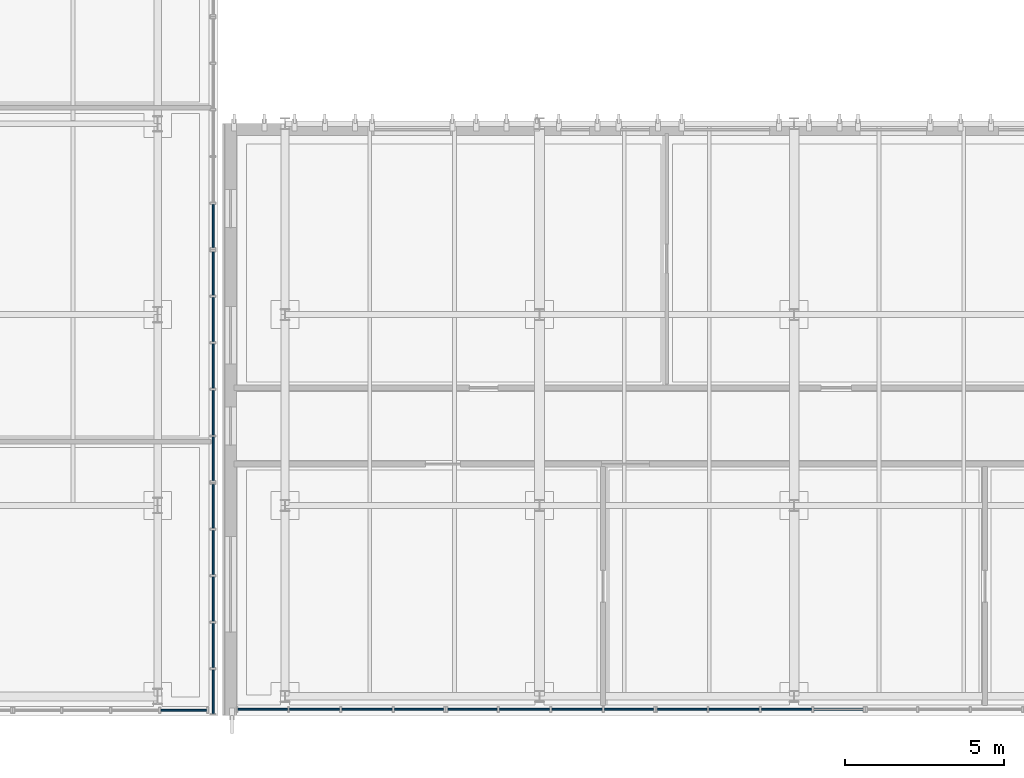
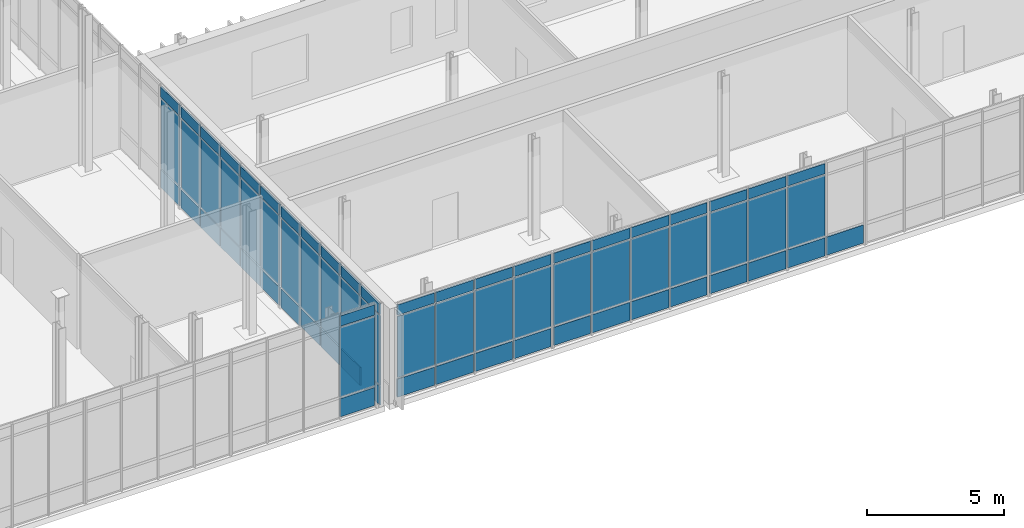
# One storey, part 48 of 86: 70 plates, 7 elements without a shape of their own.
"""IFC4 building model written with IfcOpenShell, lengths in metres."""

from ifc_helpers import new_model, si_unit, direction, frame, origin, origin_2d, place, context, subcontext, project, spatial, rectangle, extrude, material, layer, layer_set, type_object, element, aggregate, save


model = new_model("IFC4")

# Units and contexts
model_context = context("Model", 3, precision=1e-05, world=origin(), true_north=direction((0.0, 1.0)))
body_context = subcontext(model_context, "Body", "Model", "MODEL_VIEW")
ifc_project = project(units=[si_unit("LENGTHUNIT", "METRE"), si_unit("AREAUNIT", "SQUARE_METRE"), si_unit("VOLUMEUNIT", "CUBIC_METRE"), si_unit("PLANEANGLEUNIT", "RADIAN"), si_unit("MASSUNIT", "GRAM", prefix="KILO")], contexts=[model_context])

# Site, building, storey
site_placement = place(None, origin())
site = spatial("IfcSite", under=ifc_project, at=site_placement, CompositionType="ELEMENT")
building_placement = place(site_placement, origin())
building = spatial("IfcBuilding", under=site, at=building_placement, Name="Cymarion Research Institute", CompositionType="ELEMENT")
storey_placement = place(building_placement, frame((0.0, 0.0, 13.800048828125)))
storey = spatial("IfcBuildingStorey", under=building, at=storey_placement, Name="L03", CompositionType="ELEMENT", Elevation=13.800048828125)

# Curtain wall, plates
ifc_material_1 = material(Name="Anodised aluminium unitised curtain wall with Low-E glazing", Category="aluminium")
curtain_wall_type_1 = type_object("IfcCurtainWallType", Name="UNITISED CURTAIN WALL CW26 6590X4240", PredefinedType="NOTDEFINED", material=ifc_material_1)
curtain_wall_1_placement = place(storey_placement, origin())
curtain_wall_1 = element("IfcCurtainWall", 1, at=curtain_wall_1_placement, inside=storey, type_object=curtain_wall_type_1, Name="L03 V1 unitised curtain wall CW26 #119", PredefinedType="NOTDEFINED")
ifc_material_2 = material(Name="Insulated anodised aluminium spandrel panel", Category="aluminium")
ifc_layer_1 = layer(ifc_material_2, 0.06005859375)
ifc_layer_set_1 = layer_set([ifc_layer_1], Name="Insulated anodised aluminium spandrel panel")
plate_type_1 = type_object("IfcPlateType", Name="INSULATED ALUMINIUM SPANDREL PANEL SP01 60MM", PredefinedType="SHEET", material=ifc_layer_set_1)
plate_1_placement = place(storey_placement, frame((105.901123046875, 5.090087890625, 0.059814453125), z_axis=(0.0, 0.0, 1.0), x_axis=(1.0, 0.0, 0.0)))
plate_1 = element("IfcPlate", 2, at=plate_1_placement, type_object=plate_type_1, Name="CW26 panel 1.1", PredefinedType="SHEET", context=body_context, shape_type="SweptSolid", body=[
    extrude(rectangle(XDim=1.558349609375, YDim=0.06005859375, at=origin_2d()), origin(), (0.0, 0.0, 1.0), 0.81005859375),
])
plate_2_placement = place(storey_placement, frame((105.901123046875, 5.090087890625, 3.719970703125), z_axis=(0.0, 0.0, 1.0), x_axis=(1.0, 0.0, 0.0)))
plate_2 = element("IfcPlate", 3, at=plate_2_placement, type_object=plate_type_1, Name="CW26 panel 1.3", PredefinedType="SHEET", context=body_context, shape_type="SweptSolid", body=[
    extrude(rectangle(XDim=1.558349609375, YDim=0.06005859375, at=origin_2d()), origin(), (0.0, 0.0, 1.0), 0.4599609375),
])
plate_3_placement = place(storey_placement, frame((107.534423828125, 5.090087890625, 0.059814453125), z_axis=(0.0, 0.0, 1.0), x_axis=(1.0, 0.0, 0.0)))
plate_3 = element("IfcPlate", 4, at=plate_3_placement, type_object=plate_type_1, Name="CW26 panel 2.1", PredefinedType="SHEET", context=body_context, shape_type="SweptSolid", body=[
    extrude(rectangle(XDim=1.58837890625, YDim=0.06005859375, at=origin_2d()), origin(), (0.0, 0.0, 1.0), 0.81005859375),
])
plate_4_placement = place(storey_placement, frame((107.534423828125, 5.090087890625, 3.719970703125), z_axis=(0.0, 0.0, 1.0), x_axis=(1.0, 0.0, 0.0)))
plate_4 = element("IfcPlate", 5, at=plate_4_placement, type_object=plate_type_1, Name="CW26 panel 2.3", PredefinedType="SHEET", context=body_context, shape_type="SweptSolid", body=[
    extrude(rectangle(XDim=1.58837890625, YDim=0.06005859375, at=origin_2d()), origin(), (0.0, 0.0, 1.0), 0.4599609375),
])
plate_5_placement = place(storey_placement, frame((109.1826171875, 5.090087890625, 0.059814453125), z_axis=(0.0, 0.0, 1.0), x_axis=(1.0, 0.0, 0.0)))
plate_5 = element("IfcPlate", 6, at=plate_5_placement, type_object=plate_type_1, Name="CW26 panel 3.1", PredefinedType="SHEET", context=body_context, shape_type="SweptSolid", body=[
    extrude(rectangle(XDim=1.58837890625, YDim=0.06005859375, at=origin_2d()), origin(), (0.0, 0.0, 1.0), 0.81005859375),
])
plate_6_placement = place(storey_placement, frame((109.1826171875, 5.090087890625, 3.719970703125), z_axis=(0.0, 0.0, 1.0), x_axis=(1.0, 0.0, 0.0)))
plate_6 = element("IfcPlate", 7, at=plate_6_placement, type_object=plate_type_1, Name="CW26 panel 3.3", PredefinedType="SHEET", context=body_context, shape_type="SweptSolid", body=[
    extrude(rectangle(XDim=1.58837890625, YDim=0.06005859375, at=origin_2d()), origin(), (0.0, 0.0, 1.0), 0.4599609375),
])
plate_7_placement = place(storey_placement, frame((110.81591796875, 5.090087890625, 0.059814453125), z_axis=(0.0, 0.0, 1.0), x_axis=(1.0, 0.0, 0.0)))
plate_7 = element("IfcPlate", 8, at=plate_7_placement, type_object=plate_type_1, Name="CW26 panel 4.1", PredefinedType="SHEET", context=body_context, shape_type="SweptSolid", body=[
    extrude(rectangle(XDim=1.558349609375, YDim=0.06005859375, at=origin_2d()), origin(), (0.0, 0.0, 1.0), 0.81005859375),
])
plate_8_placement = place(storey_placement, frame((110.81591796875, 5.090087890625, 3.719970703125), z_axis=(0.0, 0.0, 1.0), x_axis=(1.0, 0.0, 0.0)))
plate_8 = element("IfcPlate", 9, at=plate_8_placement, type_object=plate_type_1, Name="CW26 panel 4.3", PredefinedType="SHEET", context=body_context, shape_type="SweptSolid", body=[
    extrude(rectangle(XDim=1.558349609375, YDim=0.06005859375, at=origin_2d()), origin(), (0.0, 0.0, 1.0), 0.4599609375),
])

curtain_wall_2_placement = place(storey_placement, origin())
curtain_wall_2 = element("IfcCurtainWall", 10, at=curtain_wall_2_placement, inside=storey, type_object=curtain_wall_type_1, Name="L03 V1 unitised curtain wall CW26 #120", PredefinedType="NOTDEFINED")
plate_9_placement = place(storey_placement, frame((112.494140625, 5.090087890625, 0.059814453125), z_axis=(0.0, 0.0, 1.0), x_axis=(1.0, 0.0, 0.0)))
plate_9 = element("IfcPlate", 11, at=plate_9_placement, type_object=plate_type_1, Name="CW26 panel 1.1", PredefinedType="SHEET", context=body_context, shape_type="SweptSolid", body=[
    extrude(rectangle(XDim=1.558349609375, YDim=0.06005859375, at=origin_2d()), origin(), (0.0, 0.0, 1.0), 0.81005859375),
])
plate_10_placement = place(storey_placement, frame((112.494140625, 5.090087890625, 3.719970703125), z_axis=(0.0, 0.0, 1.0), x_axis=(1.0, 0.0, 0.0)))
plate_10 = element("IfcPlate", 12, at=plate_10_placement, type_object=plate_type_1, Name="CW26 panel 1.3", PredefinedType="SHEET", context=body_context, shape_type="SweptSolid", body=[
    extrude(rectangle(XDim=1.558349609375, YDim=0.06005859375, at=origin_2d()), origin(), (0.0, 0.0, 1.0), 0.4599609375),
])
plate_11_placement = place(storey_placement, frame((114.12744140625, 5.090087890625, 0.059814453125), z_axis=(0.0, 0.0, 1.0), x_axis=(1.0, 0.0, 0.0)))
plate_11 = element("IfcPlate", 13, at=plate_11_placement, type_object=plate_type_1, Name="CW26 panel 2.1", PredefinedType="SHEET", context=body_context, shape_type="SweptSolid", body=[
    extrude(rectangle(XDim=1.58837890625, YDim=0.06005859375, at=origin_2d()), origin(), (0.0, 0.0, 1.0), 0.81005859375),
])
plate_12_placement = place(storey_placement, frame((114.12744140625, 5.090087890625, 3.719970703125), z_axis=(0.0, 0.0, 1.0), x_axis=(1.0, 0.0, 0.0)))
plate_12 = element("IfcPlate", 14, at=plate_12_placement, type_object=plate_type_1, Name="CW26 panel 2.3", PredefinedType="SHEET", context=body_context, shape_type="SweptSolid", body=[
    extrude(rectangle(XDim=1.58837890625, YDim=0.06005859375, at=origin_2d()), origin(), (0.0, 0.0, 1.0), 0.4599609375),
])
plate_13_placement = place(storey_placement, frame((115.77587890625, 5.090087890625, 0.059814453125), z_axis=(0.0, 0.0, 1.0), x_axis=(1.0, 0.0, 0.0)))
plate_13 = element("IfcPlate", 15, at=plate_13_placement, type_object=plate_type_1, Name="CW26 panel 3.1", PredefinedType="SHEET", context=body_context, shape_type="SweptSolid", body=[
    extrude(rectangle(XDim=1.58837890625, YDim=0.06005859375, at=origin_2d()), origin(), (0.0, 0.0, 1.0), 0.81005859375),
])
plate_14_placement = place(storey_placement, frame((115.77587890625, 5.090087890625, 3.719970703125), z_axis=(0.0, 0.0, 1.0), x_axis=(1.0, 0.0, 0.0)))
plate_14 = element("IfcPlate", 16, at=plate_14_placement, type_object=plate_type_1, Name="CW26 panel 3.3", PredefinedType="SHEET", context=body_context, shape_type="SweptSolid", body=[
    extrude(rectangle(XDim=1.58837890625, YDim=0.06005859375, at=origin_2d()), origin(), (0.0, 0.0, 1.0), 0.4599609375),
])
plate_15_placement = place(storey_placement, frame((117.4091796875, 5.090087890625, 0.059814453125), z_axis=(0.0, 0.0, 1.0), x_axis=(1.0, 0.0, 0.0)))
plate_15 = element("IfcPlate", 17, at=plate_15_placement, type_object=plate_type_1, Name="CW26 panel 4.1", PredefinedType="SHEET", context=body_context, shape_type="SweptSolid", body=[
    extrude(rectangle(XDim=1.558349609375, YDim=0.06005859375, at=origin_2d()), origin(), (0.0, 0.0, 1.0), 0.81005859375),
])
plate_16_placement = place(storey_placement, frame((117.4091796875, 5.090087890625, 3.719970703125), z_axis=(0.0, 0.0, 1.0), x_axis=(1.0, 0.0, 0.0)))
plate_16 = element("IfcPlate", 18, at=plate_16_placement, type_object=plate_type_1, Name="CW26 panel 4.3", PredefinedType="SHEET", context=body_context, shape_type="SweptSolid", body=[
    extrude(rectangle(XDim=1.558349609375, YDim=0.06005859375, at=origin_2d()), origin(), (0.0, 0.0, 1.0), 0.4599609375),
])

curtain_wall_3_placement = place(storey_placement, origin())
curtain_wall_3 = element("IfcCurtainWall", 19, at=curtain_wall_3_placement, inside=storey, type_object=curtain_wall_type_1, Name="L03 V1 unitised curtain wall CW26 #121", PredefinedType="NOTDEFINED")
plate_17_placement = place(storey_placement, frame((119.08740234375, 5.090087890625, 0.059814453125), z_axis=(0.0, 0.0, 1.0), x_axis=(1.0, 0.0, 0.0)))
plate_17 = element("IfcPlate", 20, at=plate_17_placement, type_object=plate_type_1, Name="CW26 panel 1.1", PredefinedType="SHEET", context=body_context, shape_type="SweptSolid", body=[
    extrude(rectangle(XDim=1.558349609375, YDim=0.06005859375, at=origin_2d()), origin(), (0.0, 0.0, 1.0), 0.81005859375),
])
plate_18_placement = place(storey_placement, frame((119.08740234375, 5.090087890625, 3.719970703125), z_axis=(0.0, 0.0, 1.0), x_axis=(1.0, 0.0, 0.0)))
plate_18 = element("IfcPlate", 21, at=plate_18_placement, type_object=plate_type_1, Name="CW26 panel 1.3", PredefinedType="SHEET", context=body_context, shape_type="SweptSolid", body=[
    extrude(rectangle(XDim=1.558349609375, YDim=0.06005859375, at=origin_2d()), origin(), (0.0, 0.0, 1.0), 0.4599609375),
])
plate_19_placement = place(storey_placement, frame((120.720703125, 5.090087890625, 0.059814453125), z_axis=(0.0, 0.0, 1.0), x_axis=(1.0, 0.0, 0.0)))
plate_19 = element("IfcPlate", 22, at=plate_19_placement, type_object=plate_type_1, Name="CW26 panel 2.1", PredefinedType="SHEET", context=body_context, shape_type="SweptSolid", body=[
    extrude(rectangle(XDim=1.58837890625, YDim=0.06005859375, at=origin_2d()), origin(), (0.0, 0.0, 1.0), 0.81005859375),
])
plate_20_placement = place(storey_placement, frame((120.720703125, 5.090087890625, 3.719970703125), z_axis=(0.0, 0.0, 1.0), x_axis=(1.0, 0.0, 0.0)))
plate_20 = element("IfcPlate", 23, at=plate_20_placement, type_object=plate_type_1, Name="CW26 panel 2.3", PredefinedType="SHEET", context=body_context, shape_type="SweptSolid", body=[
    extrude(rectangle(XDim=1.58837890625, YDim=0.06005859375, at=origin_2d()), origin(), (0.0, 0.0, 1.0), 0.4599609375),
])
plate_21_placement = place(storey_placement, frame((122.368896484375, 5.090087890625, 0.059814453125), z_axis=(0.0, 0.0, 1.0), x_axis=(1.0, 0.0, 0.0)))
plate_21 = element("IfcPlate", 24, at=plate_21_placement, type_object=plate_type_1, Name="CW26 panel 3.1", PredefinedType="SHEET", context=body_context, shape_type="SweptSolid", body=[
    extrude(rectangle(XDim=1.58837890625, YDim=0.06005859375, at=origin_2d()), origin(), (0.0, 0.0, 1.0), 0.81005859375),
])
plate_22_placement = place(storey_placement, frame((122.368896484375, 5.090087890625, 3.719970703125), z_axis=(0.0, 0.0, 1.0), x_axis=(1.0, 0.0, 0.0)))
plate_22 = element("IfcPlate", 25, at=plate_22_placement, type_object=plate_type_1, Name="CW26 panel 3.3", PredefinedType="SHEET", context=body_context, shape_type="SweptSolid", body=[
    extrude(rectangle(XDim=1.58837890625, YDim=0.06005859375, at=origin_2d()), origin(), (0.0, 0.0, 1.0), 0.4599609375),
])
plate_23_placement = place(storey_placement, frame((124.002197265625, 5.090087890625, 0.059814453125), z_axis=(0.0, 0.0, 1.0), x_axis=(1.0, 0.0, 0.0)))
plate_23 = element("IfcPlate", 26, at=plate_23_placement, type_object=plate_type_1, Name="CW26 panel 4.1", PredefinedType="SHEET", context=body_context, shape_type="SweptSolid", body=[
    extrude(rectangle(XDim=1.558349609375, YDim=0.06005859375, at=origin_2d()), origin(), (0.0, 0.0, 1.0), 0.81005859375),
])

curtain_wall_type_2 = type_object("IfcCurtainWallType", Name="UNITISED CURTAIN WALL CW27 6150X4620", PredefinedType="NOTDEFINED", material=ifc_material_1)
curtain_wall_4_placement = place(storey_placement, origin())
curtain_wall_4 = element("IfcCurtainWall", 27, at=curtain_wall_4_placement, inside=storey, type_object=curtain_wall_type_2, Name="L03 V2 unitised curtain wall CW27 #136", PredefinedType="NOTDEFINED")
plate_24_placement = place(storey_placement, frame((103.414306640625, 5.06005859375, 0.059814453125), z_axis=(0.0, 0.0, 1.0), x_axis=(1.0, 0.0, 0.0)))
plate_24 = element("IfcPlate", 28, at=plate_24_placement, type_object=plate_type_1, Name="CW27 panel 4.1", PredefinedType="SHEET", context=body_context, shape_type="SweptSolid", body=[
    extrude(rectangle(XDim=1.447265625, YDim=0.06005859375, at=origin_2d()), origin(), (0.0, 0.0, 1.0), 0.81005859375),
])
plate_25_placement = place(storey_placement, frame((103.414306640625, 5.06005859375, 4.099853515625), z_axis=(0.0, 0.0, 1.0), x_axis=(1.0, 0.0, 0.0)))
plate_25 = element("IfcPlate", 29, at=plate_25_placement, type_object=plate_type_1, Name="CW27 panel 4.3", PredefinedType="SHEET", context=body_context, shape_type="SweptSolid", body=[
    extrude(rectangle(XDim=1.447265625, YDim=0.06005859375, at=origin_2d()), origin(), (0.0, 0.0, 1.0), 0.4599609375),
])

curtain_wall_type_3 = type_object("IfcCurtainWallType", Name="UNITISED CURTAIN WALL CW28 7320X4620", PredefinedType="NOTDEFINED", material=ifc_material_1)
curtain_wall_5_placement = place(storey_placement, origin())
curtain_wall_5 = element("IfcCurtainWall", 30, at=curtain_wall_5_placement, inside=storey, type_object=curtain_wall_type_3, Name="L03 V2 unitised curtain wall CW28 #137", PredefinedType="NOTDEFINED")
plate_26_placement = place(storey_placement, frame((104.340087890625, 5.64697265625, 0.059814453125), z_axis=(0.0, 0.0, 1.0), x_axis=(0.0, 1.0, 0.0)))
plate_26 = element("IfcPlate", 31, at=plate_26_placement, type_object=plate_type_1, Name="CW28 panel 1.1", PredefinedType="SHEET", context=body_context, shape_type="SweptSolid", body=[
    extrude(rectangle(XDim=1.3740234375, YDim=0.06005859375, at=origin_2d()), origin(), (0.0, 0.0, 1.0), 0.81005859375),
])
plate_27_placement = place(storey_placement, frame((104.340087890625, 5.64697265625, 4.099853515625), z_axis=(0.0, 0.0, 1.0), x_axis=(0.0, 1.0, 0.0)))
plate_27 = element("IfcPlate", 32, at=plate_27_placement, type_object=plate_type_1, Name="CW28 panel 1.3", PredefinedType="SHEET", context=body_context, shape_type="SweptSolid", body=[
    extrude(rectangle(XDim=1.3740234375, YDim=0.06005859375, at=origin_2d()), origin(), (0.0, 0.0, 1.0), 0.4599609375),
])
plate_28_placement = place(storey_placement, frame((104.340087890625, 7.095947265625, 0.059814453125), z_axis=(0.0, 0.0, 1.0), x_axis=(0.0, 1.0, 0.0)))
plate_28 = element("IfcPlate", 33, at=plate_28_placement, type_object=plate_type_1, Name="CW28 panel 2.1", PredefinedType="SHEET", context=body_context, shape_type="SweptSolid", body=[
    extrude(rectangle(XDim=1.404052734375, YDim=0.06005859375, at=origin_2d()), origin(), (0.0, 0.0, 1.0), 0.81005859375),
])
plate_29_placement = place(storey_placement, frame((104.340087890625, 7.095947265625, 4.099853515625), z_axis=(0.0, 0.0, 1.0), x_axis=(0.0, 1.0, 0.0)))
plate_29 = element("IfcPlate", 34, at=plate_29_placement, type_object=plate_type_1, Name="CW28 panel 2.3", PredefinedType="SHEET", context=body_context, shape_type="SweptSolid", body=[
    extrude(rectangle(XDim=1.404052734375, YDim=0.06005859375, at=origin_2d()), origin(), (0.0, 0.0, 1.0), 0.4599609375),
])
plate_30_placement = place(storey_placement, frame((104.340087890625, 8.56005859375, 0.059814453125), z_axis=(0.0, 0.0, 1.0), x_axis=(0.0, 1.0, 0.0)))
plate_30 = element("IfcPlate", 35, at=plate_30_placement, type_object=plate_type_1, Name="CW28 panel 3.1", PredefinedType="SHEET", context=body_context, shape_type="SweptSolid", body=[
    extrude(rectangle(XDim=1.404052734375, YDim=0.06005859375, at=origin_2d()), origin(), (0.0, 0.0, 1.0), 0.81005859375),
])
plate_31_placement = place(storey_placement, frame((104.340087890625, 8.56005859375, 4.099853515625), z_axis=(0.0, 0.0, 1.0), x_axis=(0.0, 1.0, 0.0)))
plate_31 = element("IfcPlate", 36, at=plate_31_placement, type_object=plate_type_1, Name="CW28 panel 3.3", PredefinedType="SHEET", context=body_context, shape_type="SweptSolid", body=[
    extrude(rectangle(XDim=1.404052734375, YDim=0.06005859375, at=origin_2d()), origin(), (0.0, 0.0, 1.0), 0.4599609375),
])
plate_32_placement = place(storey_placement, frame((104.340087890625, 10.02392578125, 0.059814453125), z_axis=(0.0, 0.0, 1.0), x_axis=(0.0, 1.0, 0.0)))
plate_32 = element("IfcPlate", 37, at=plate_32_placement, type_object=plate_type_1, Name="CW28 panel 4.1", PredefinedType="SHEET", context=body_context, shape_type="SweptSolid", body=[
    extrude(rectangle(XDim=1.404052734375, YDim=0.06005859375, at=origin_2d()), origin(), (0.0, 0.0, 1.0), 0.81005859375),
])
plate_33_placement = place(storey_placement, frame((104.340087890625, 10.02392578125, 4.099853515625), z_axis=(0.0, 0.0, 1.0), x_axis=(0.0, 1.0, 0.0)))
plate_33 = element("IfcPlate", 38, at=plate_33_placement, type_object=plate_type_1, Name="CW28 panel 4.3", PredefinedType="SHEET", context=body_context, shape_type="SweptSolid", body=[
    extrude(rectangle(XDim=1.404052734375, YDim=0.06005859375, at=origin_2d()), origin(), (0.0, 0.0, 1.0), 0.4599609375),
])
plate_34_placement = place(storey_placement, frame((104.340087890625, 11.472900390625, 0.059814453125), z_axis=(0.0, 0.0, 1.0), x_axis=(0.0, 1.0, 0.0)))
plate_34 = element("IfcPlate", 39, at=plate_34_placement, type_object=plate_type_1, Name="CW28 panel 5.1", PredefinedType="SHEET", context=body_context, shape_type="SweptSolid", body=[
    extrude(rectangle(XDim=1.3740234375, YDim=0.06005859375, at=origin_2d()), origin(), (0.0, 0.0, 1.0), 0.81005859375),
])
plate_35_placement = place(storey_placement, frame((104.340087890625, 11.472900390625, 4.099853515625), z_axis=(0.0, 0.0, 1.0), x_axis=(0.0, 1.0, 0.0)))
plate_35 = element("IfcPlate", 40, at=plate_35_placement, type_object=plate_type_1, Name="CW28 panel 5.3", PredefinedType="SHEET", context=body_context, shape_type="SweptSolid", body=[
    extrude(rectangle(XDim=1.3740234375, YDim=0.06005859375, at=origin_2d()), origin(), (0.0, 0.0, 1.0), 0.4599609375),
])

curtain_wall_6_placement = place(storey_placement, origin())
curtain_wall_6 = element("IfcCurtainWall", 41, at=curtain_wall_6_placement, inside=storey, type_object=curtain_wall_type_3, Name="L03 V2 unitised curtain wall CW28 #138", PredefinedType="NOTDEFINED")
plate_36_placement = place(storey_placement, frame((104.340087890625, 12.967041015625, 0.059814453125), z_axis=(0.0, 0.0, 1.0), x_axis=(0.0, 1.0, 0.0)))
plate_36 = element("IfcPlate", 42, at=plate_36_placement, type_object=plate_type_1, Name="CW28 panel 1.1", PredefinedType="SHEET", context=body_context, shape_type="SweptSolid", body=[
    extrude(rectangle(XDim=1.3740234375, YDim=0.06005859375, at=origin_2d()), origin(), (0.0, 0.0, 1.0), 0.81005859375),
])
plate_37_placement = place(storey_placement, frame((104.340087890625, 12.967041015625, 4.099853515625), z_axis=(0.0, 0.0, 1.0), x_axis=(0.0, 1.0, 0.0)))
plate_37 = element("IfcPlate", 43, at=plate_37_placement, type_object=plate_type_1, Name="CW28 panel 1.3", PredefinedType="SHEET", context=body_context, shape_type="SweptSolid", body=[
    extrude(rectangle(XDim=1.3740234375, YDim=0.06005859375, at=origin_2d()), origin(), (0.0, 0.0, 1.0), 0.4599609375),
])
plate_38_placement = place(storey_placement, frame((104.340087890625, 14.416015625, 0.059814453125), z_axis=(0.0, 0.0, 1.0), x_axis=(0.0, 1.0, 0.0)))
plate_38 = element("IfcPlate", 44, at=plate_38_placement, type_object=plate_type_1, Name="CW28 panel 2.1", PredefinedType="SHEET", context=body_context, shape_type="SweptSolid", body=[
    extrude(rectangle(XDim=1.404052734375, YDim=0.06005859375, at=origin_2d()), origin(), (0.0, 0.0, 1.0), 0.81005859375),
])
plate_39_placement = place(storey_placement, frame((104.340087890625, 14.416015625, 4.099853515625), z_axis=(0.0, 0.0, 1.0), x_axis=(0.0, 1.0, 0.0)))
plate_39 = element("IfcPlate", 45, at=plate_39_placement, type_object=plate_type_1, Name="CW28 panel 2.3", PredefinedType="SHEET", context=body_context, shape_type="SweptSolid", body=[
    extrude(rectangle(XDim=1.404052734375, YDim=0.06005859375, at=origin_2d()), origin(), (0.0, 0.0, 1.0), 0.4599609375),
])
plate_40_placement = place(storey_placement, frame((104.340087890625, 15.8798828125, 0.059814453125), z_axis=(0.0, 0.0, 1.0), x_axis=(0.0, 1.0, 0.0)))
plate_40 = element("IfcPlate", 46, at=plate_40_placement, type_object=plate_type_1, Name="CW28 panel 3.1", PredefinedType="SHEET", context=body_context, shape_type="SweptSolid", body=[
    extrude(rectangle(XDim=1.404052734375, YDim=0.06005859375, at=origin_2d()), origin(), (0.0, 0.0, 1.0), 0.81005859375),
])
plate_41_placement = place(storey_placement, frame((104.340087890625, 15.8798828125, 4.099853515625), z_axis=(0.0, 0.0, 1.0), x_axis=(0.0, 1.0, 0.0)))
plate_41 = element("IfcPlate", 47, at=plate_41_placement, type_object=plate_type_1, Name="CW28 panel 3.3", PredefinedType="SHEET", context=body_context, shape_type="SweptSolid", body=[
    extrude(rectangle(XDim=1.404052734375, YDim=0.06005859375, at=origin_2d()), origin(), (0.0, 0.0, 1.0), 0.4599609375),
])
plate_42_placement = place(storey_placement, frame((104.340087890625, 17.343994140625, 0.059814453125), z_axis=(0.0, 0.0, 1.0), x_axis=(0.0, 1.0, 0.0)))
plate_42 = element("IfcPlate", 48, at=plate_42_placement, type_object=plate_type_1, Name="CW28 panel 4.1", PredefinedType="SHEET", context=body_context, shape_type="SweptSolid", body=[
    extrude(rectangle(XDim=1.404052734375, YDim=0.06005859375, at=origin_2d()), origin(), (0.0, 0.0, 1.0), 0.81005859375),
])
plate_43_placement = place(storey_placement, frame((104.340087890625, 17.343994140625, 4.099853515625), z_axis=(0.0, 0.0, 1.0), x_axis=(0.0, 1.0, 0.0)))
plate_43 = element("IfcPlate", 49, at=plate_43_placement, type_object=plate_type_1, Name="CW28 panel 4.3", PredefinedType="SHEET", context=body_context, shape_type="SweptSolid", body=[
    extrude(rectangle(XDim=1.404052734375, YDim=0.06005859375, at=origin_2d()), origin(), (0.0, 0.0, 1.0), 0.4599609375),
])
plate_44_placement = place(storey_placement, frame((104.340087890625, 18.79296875, 0.059814453125), z_axis=(0.0, 0.0, 1.0), x_axis=(0.0, 1.0, 0.0)))
plate_44 = element("IfcPlate", 50, at=plate_44_placement, type_object=plate_type_1, Name="CW28 panel 5.1", PredefinedType="SHEET", context=body_context, shape_type="SweptSolid", body=[
    extrude(rectangle(XDim=1.3740234375, YDim=0.06005859375, at=origin_2d()), origin(), (0.0, 0.0, 1.0), 0.81005859375),
])
plate_45_placement = place(storey_placement, frame((104.340087890625, 18.79296875, 4.099853515625), z_axis=(0.0, 0.0, 1.0), x_axis=(0.0, 1.0, 0.0)))
plate_45 = element("IfcPlate", 51, at=plate_45_placement, type_object=plate_type_1, Name="CW28 panel 5.3", PredefinedType="SHEET", context=body_context, shape_type="SweptSolid", body=[
    extrude(rectangle(XDim=1.3740234375, YDim=0.06005859375, at=origin_2d()), origin(), (0.0, 0.0, 1.0), 0.4599609375),
])

curtain_wall_7_placement = place(storey_placement, origin())
curtain_wall_7 = element("IfcCurtainWall", 52, at=curtain_wall_7_placement, inside=storey, type_object=curtain_wall_type_3, Name="L03 V2 unitised curtain wall CW28 #139", PredefinedType="NOTDEFINED")
plate_46_placement = place(storey_placement, frame((104.340087890625, 20.287109375, 0.059814453125), z_axis=(0.0, 0.0, 1.0), x_axis=(0.0, 1.0, 0.0)))
plate_46 = element("IfcPlate", 53, at=plate_46_placement, type_object=plate_type_1, Name="CW28 panel 1.1", PredefinedType="SHEET", context=body_context, shape_type="SweptSolid", body=[
    extrude(rectangle(XDim=1.3740234375, YDim=0.06005859375, at=origin_2d()), origin(), (0.0, 0.0, 1.0), 0.81005859375),
])
plate_47_placement = place(storey_placement, frame((104.340087890625, 20.287109375, 4.099853515625), z_axis=(0.0, 0.0, 1.0), x_axis=(0.0, 1.0, 0.0)))
plate_47 = element("IfcPlate", 54, at=plate_47_placement, type_object=plate_type_1, Name="CW28 panel 1.3", PredefinedType="SHEET", context=body_context, shape_type="SweptSolid", body=[
    extrude(rectangle(XDim=1.3740234375, YDim=0.06005859375, at=origin_2d()), origin(), (0.0, 0.0, 1.0), 0.4599609375),
])

# Plate
ifc_material_3 = material(Name="Low-E double solar-control glazing", Category="glass")
ifc_layer_2 = layer(ifc_material_3, 0.035888671875)
ifc_layer_set_2 = layer_set([ifc_layer_2], Name="Low-E double solar-control glazing")
plate_type_2 = type_object("IfcPlateType", Name="SOLAR CONTROL GLAZED VISION PANEL GP01 36MM", PredefinedType="CURTAIN_PANEL", material=ifc_layer_set_2)
plate_48_placement = place(storey_placement, frame((105.901123046875, 5.090087890625, 0.929931640625), z_axis=(0.0, 0.0, 1.0), x_axis=(1.0, 0.0, 0.0)))
plate_48 = element("IfcPlate", 55, at=plate_48_placement, type_object=plate_type_2, Name="CW26 panel 1.2", PredefinedType="CURTAIN_PANEL", context=body_context, shape_type="SweptSolid", body=[
    extrude(rectangle(XDim=1.558349609375, YDim=0.035888671875, at=origin_2d()), origin(), (0.0, 0.0, 1.0), 2.72998046875),
])

plate_49_placement = place(storey_placement, frame((107.534423828125, 5.090087890625, 0.929931640625), z_axis=(0.0, 0.0, 1.0), x_axis=(1.0, 0.0, 0.0)))
plate_49 = element("IfcPlate", 56, at=plate_49_placement, type_object=plate_type_2, Name="CW26 panel 2.2", PredefinedType="CURTAIN_PANEL", context=body_context, shape_type="SweptSolid", body=[
    extrude(rectangle(XDim=1.58837890625, YDim=0.035888671875, at=origin_2d()), origin(), (0.0, 0.0, 1.0), 2.72998046875),
])

plate_50_placement = place(storey_placement, frame((109.1826171875, 5.090087890625, 0.929931640625), z_axis=(0.0, 0.0, 1.0), x_axis=(1.0, 0.0, 0.0)))
plate_50 = element("IfcPlate", 57, at=plate_50_placement, type_object=plate_type_2, Name="CW26 panel 3.2", PredefinedType="CURTAIN_PANEL", context=body_context, shape_type="SweptSolid", body=[
    extrude(rectangle(XDim=1.58837890625, YDim=0.035888671875, at=origin_2d()), origin(), (0.0, 0.0, 1.0), 2.72998046875),
])

plate_51_placement = place(storey_placement, frame((110.81591796875, 5.090087890625, 0.929931640625), z_axis=(0.0, 0.0, 1.0), x_axis=(1.0, 0.0, 0.0)))
plate_51 = element("IfcPlate", 58, at=plate_51_placement, type_object=plate_type_2, Name="CW26 panel 4.2", PredefinedType="CURTAIN_PANEL", context=body_context, shape_type="SweptSolid", body=[
    extrude(rectangle(XDim=1.558349609375, YDim=0.035888671875, at=origin_2d()), origin(), (0.0, 0.0, 1.0), 2.72998046875),
])

aggregate(curtain_wall_1, [plate_1, plate_48, plate_2, plate_3, plate_49, plate_4, plate_5, plate_50, plate_6, plate_7, plate_51, plate_8])

plate_52_placement = place(storey_placement, frame((112.494140625, 5.090087890625, 0.929931640625), z_axis=(0.0, 0.0, 1.0), x_axis=(1.0, 0.0, 0.0)))
plate_52 = element("IfcPlate", 59, at=plate_52_placement, type_object=plate_type_2, Name="CW26 panel 1.2", PredefinedType="CURTAIN_PANEL", context=body_context, shape_type="SweptSolid", body=[
    extrude(rectangle(XDim=1.558349609375, YDim=0.035888671875, at=origin_2d()), origin(), (0.0, 0.0, 1.0), 2.72998046875),
])

plate_53_placement = place(storey_placement, frame((114.12744140625, 5.090087890625, 0.929931640625), z_axis=(0.0, 0.0, 1.0), x_axis=(1.0, 0.0, 0.0)))
plate_53 = element("IfcPlate", 60, at=plate_53_placement, type_object=plate_type_2, Name="CW26 panel 2.2", PredefinedType="CURTAIN_PANEL", context=body_context, shape_type="SweptSolid", body=[
    extrude(rectangle(XDim=1.58837890625, YDim=0.035888671875, at=origin_2d()), origin(), (0.0, 0.0, 1.0), 2.72998046875),
])

plate_54_placement = place(storey_placement, frame((115.77587890625, 5.090087890625, 0.929931640625), z_axis=(0.0, 0.0, 1.0), x_axis=(1.0, 0.0, 0.0)))
plate_54 = element("IfcPlate", 61, at=plate_54_placement, type_object=plate_type_2, Name="CW26 panel 3.2", PredefinedType="CURTAIN_PANEL", context=body_context, shape_type="SweptSolid", body=[
    extrude(rectangle(XDim=1.58837890625, YDim=0.035888671875, at=origin_2d()), origin(), (0.0, 0.0, 1.0), 2.72998046875),
])

plate_55_placement = place(storey_placement, frame((117.4091796875, 5.090087890625, 0.929931640625), z_axis=(0.0, 0.0, 1.0), x_axis=(1.0, 0.0, 0.0)))
plate_55 = element("IfcPlate", 62, at=plate_55_placement, type_object=plate_type_2, Name="CW26 panel 4.2", PredefinedType="CURTAIN_PANEL", context=body_context, shape_type="SweptSolid", body=[
    extrude(rectangle(XDim=1.558349609375, YDim=0.035888671875, at=origin_2d()), origin(), (0.0, 0.0, 1.0), 2.72998046875),
])

aggregate(curtain_wall_2, [plate_9, plate_52, plate_10, plate_11, plate_53, plate_12, plate_13, plate_54, plate_14, plate_15, plate_55, plate_16])

plate_56_placement = place(storey_placement, frame((119.08740234375, 5.090087890625, 0.929931640625), z_axis=(0.0, 0.0, 1.0), x_axis=(1.0, 0.0, 0.0)))
plate_56 = element("IfcPlate", 63, at=plate_56_placement, type_object=plate_type_2, Name="CW26 panel 1.2", PredefinedType="CURTAIN_PANEL", context=body_context, shape_type="SweptSolid", body=[
    extrude(rectangle(XDim=1.558349609375, YDim=0.035888671875, at=origin_2d()), origin(), (0.0, 0.0, 1.0), 2.72998046875),
])

plate_57_placement = place(storey_placement, frame((120.720703125, 5.090087890625, 0.929931640625), z_axis=(0.0, 0.0, 1.0), x_axis=(1.0, 0.0, 0.0)))
plate_57 = element("IfcPlate", 64, at=plate_57_placement, type_object=plate_type_2, Name="CW26 panel 2.2", PredefinedType="CURTAIN_PANEL", context=body_context, shape_type="SweptSolid", body=[
    extrude(rectangle(XDim=1.58837890625, YDim=0.035888671875, at=origin_2d()), origin(), (0.0, 0.0, 1.0), 2.72998046875),
])

plate_58_placement = place(storey_placement, frame((122.368896484375, 5.090087890625, 0.929931640625), z_axis=(0.0, 0.0, 1.0), x_axis=(1.0, 0.0, 0.0)))
plate_58 = element("IfcPlate", 65, at=plate_58_placement, type_object=plate_type_2, Name="CW26 panel 3.2", PredefinedType="CURTAIN_PANEL", context=body_context, shape_type="SweptSolid", body=[
    extrude(rectangle(XDim=1.58837890625, YDim=0.035888671875, at=origin_2d()), origin(), (0.0, 0.0, 1.0), 2.72998046875),
])

aggregate(curtain_wall_3, [plate_17, plate_56, plate_18, plate_19, plate_57, plate_20, plate_21, plate_58, plate_22, plate_23])

plate_59_placement = place(storey_placement, frame((103.414306640625, 5.06005859375, 0.9296875), z_axis=(0.0, 0.0, 1.0), x_axis=(1.0, 0.0, 0.0)))
plate_59 = element("IfcPlate", 66, at=plate_59_placement, type_object=plate_type_2, Name="CW27 panel 4.2", PredefinedType="CURTAIN_PANEL", context=body_context, shape_type="SweptSolid", body=[
    extrude(rectangle(XDim=1.447265625, YDim=0.035888671875, at=origin_2d()), origin(), (0.0, 0.0, 1.0), 3.110107421875),
])

aggregate(curtain_wall_4, [plate_24, plate_59, plate_25])

plate_60_placement = place(storey_placement, frame((104.340087890625, 5.64697265625, 0.9296875), z_axis=(0.0, 0.0, 1.0), x_axis=(0.0, 1.0, 0.0)))
plate_60 = element("IfcPlate", 67, at=plate_60_placement, type_object=plate_type_2, Name="CW28 panel 1.2", PredefinedType="CURTAIN_PANEL", context=body_context, shape_type="SweptSolid", body=[
    extrude(rectangle(XDim=1.3740234375, YDim=0.035888671875, at=origin_2d()), origin(), (0.0, 0.0, 1.0), 3.110107421875),
])

plate_61_placement = place(storey_placement, frame((104.340087890625, 7.095947265625, 0.9296875), z_axis=(0.0, 0.0, 1.0), x_axis=(0.0, 1.0, 0.0)))
plate_61 = element("IfcPlate", 68, at=plate_61_placement, type_object=plate_type_2, Name="CW28 panel 2.2", PredefinedType="CURTAIN_PANEL", context=body_context, shape_type="SweptSolid", body=[
    extrude(rectangle(XDim=1.404052734375, YDim=0.035888671875, at=origin_2d()), origin(), (0.0, 0.0, 1.0), 3.110107421875),
])

plate_62_placement = place(storey_placement, frame((104.340087890625, 8.56005859375, 0.9296875), z_axis=(0.0, 0.0, 1.0), x_axis=(0.0, 1.0, 0.0)))
plate_62 = element("IfcPlate", 69, at=plate_62_placement, type_object=plate_type_2, Name="CW28 panel 3.2", PredefinedType="CURTAIN_PANEL", context=body_context, shape_type="SweptSolid", body=[
    extrude(rectangle(XDim=1.404052734375, YDim=0.035888671875, at=origin_2d()), origin(), (0.0, 0.0, 1.0), 3.110107421875),
])

plate_63_placement = place(storey_placement, frame((104.340087890625, 10.02392578125, 0.9296875), z_axis=(0.0, 0.0, 1.0), x_axis=(0.0, 1.0, 0.0)))
plate_63 = element("IfcPlate", 70, at=plate_63_placement, type_object=plate_type_2, Name="CW28 panel 4.2", PredefinedType="CURTAIN_PANEL", context=body_context, shape_type="SweptSolid", body=[
    extrude(rectangle(XDim=1.404052734375, YDim=0.035888671875, at=origin_2d()), origin(), (0.0, 0.0, 1.0), 3.110107421875),
])

plate_64_placement = place(storey_placement, frame((104.340087890625, 11.472900390625, 0.9296875), z_axis=(0.0, 0.0, 1.0), x_axis=(0.0, 1.0, 0.0)))
plate_64 = element("IfcPlate", 71, at=plate_64_placement, type_object=plate_type_2, Name="CW28 panel 5.2", PredefinedType="CURTAIN_PANEL", context=body_context, shape_type="SweptSolid", body=[
    extrude(rectangle(XDim=1.3740234375, YDim=0.035888671875, at=origin_2d()), origin(), (0.0, 0.0, 1.0), 3.110107421875),
])

aggregate(curtain_wall_5, [plate_26, plate_60, plate_27, plate_28, plate_61, plate_29, plate_30, plate_62, plate_31, plate_32, plate_63, plate_33, plate_34, plate_64, plate_35])

plate_65_placement = place(storey_placement, frame((104.340087890625, 12.967041015625, 0.9296875), z_axis=(0.0, 0.0, 1.0), x_axis=(0.0, 1.0, 0.0)))
plate_65 = element("IfcPlate", 72, at=plate_65_placement, type_object=plate_type_2, Name="CW28 panel 1.2", PredefinedType="CURTAIN_PANEL", context=body_context, shape_type="SweptSolid", body=[
    extrude(rectangle(XDim=1.3740234375, YDim=0.035888671875, at=origin_2d()), origin(), (0.0, 0.0, 1.0), 3.110107421875),
])

plate_66_placement = place(storey_placement, frame((104.340087890625, 14.416015625, 0.9296875), z_axis=(0.0, 0.0, 1.0), x_axis=(0.0, 1.0, 0.0)))
plate_66 = element("IfcPlate", 73, at=plate_66_placement, type_object=plate_type_2, Name="CW28 panel 2.2", PredefinedType="CURTAIN_PANEL", context=body_context, shape_type="SweptSolid", body=[
    extrude(rectangle(XDim=1.404052734375, YDim=0.035888671875, at=origin_2d()), origin(), (0.0, 0.0, 1.0), 3.110107421875),
])

plate_67_placement = place(storey_placement, frame((104.340087890625, 15.8798828125, 0.9296875), z_axis=(0.0, 0.0, 1.0), x_axis=(0.0, 1.0, 0.0)))
plate_67 = element("IfcPlate", 74, at=plate_67_placement, type_object=plate_type_2, Name="CW28 panel 3.2", PredefinedType="CURTAIN_PANEL", context=body_context, shape_type="SweptSolid", body=[
    extrude(rectangle(XDim=1.404052734375, YDim=0.035888671875, at=origin_2d()), origin(), (0.0, 0.0, 1.0), 3.110107421875),
])

plate_68_placement = place(storey_placement, frame((104.340087890625, 17.343994140625, 0.9296875), z_axis=(0.0, 0.0, 1.0), x_axis=(0.0, 1.0, 0.0)))
plate_68 = element("IfcPlate", 75, at=plate_68_placement, type_object=plate_type_2, Name="CW28 panel 4.2", PredefinedType="CURTAIN_PANEL", context=body_context, shape_type="SweptSolid", body=[
    extrude(rectangle(XDim=1.404052734375, YDim=0.035888671875, at=origin_2d()), origin(), (0.0, 0.0, 1.0), 3.110107421875),
])

plate_69_placement = place(storey_placement, frame((104.340087890625, 18.79296875, 0.9296875), z_axis=(0.0, 0.0, 1.0), x_axis=(0.0, 1.0, 0.0)))
plate_69 = element("IfcPlate", 76, at=plate_69_placement, type_object=plate_type_2, Name="CW28 panel 5.2", PredefinedType="CURTAIN_PANEL", context=body_context, shape_type="SweptSolid", body=[
    extrude(rectangle(XDim=1.3740234375, YDim=0.035888671875, at=origin_2d()), origin(), (0.0, 0.0, 1.0), 3.110107421875),
])

aggregate(curtain_wall_6, [plate_36, plate_65, plate_37, plate_38, plate_66, plate_39, plate_40, plate_67, plate_41, plate_42, plate_68, plate_43, plate_44, plate_69, plate_45])

plate_70_placement = place(storey_placement, frame((104.340087890625, 20.287109375, 0.9296875), z_axis=(0.0, 0.0, 1.0), x_axis=(0.0, 1.0, 0.0)))
plate_70 = element("IfcPlate", 77, at=plate_70_placement, type_object=plate_type_2, Name="CW28 panel 1.2", PredefinedType="CURTAIN_PANEL", context=body_context, shape_type="SweptSolid", body=[
    extrude(rectangle(XDim=1.3740234375, YDim=0.035888671875, at=origin_2d()), origin(), (0.0, 0.0, 1.0), 3.110107421875),
])

aggregate(curtain_wall_7, [plate_46, plate_70, plate_47])

save(model, "model.ifc")
